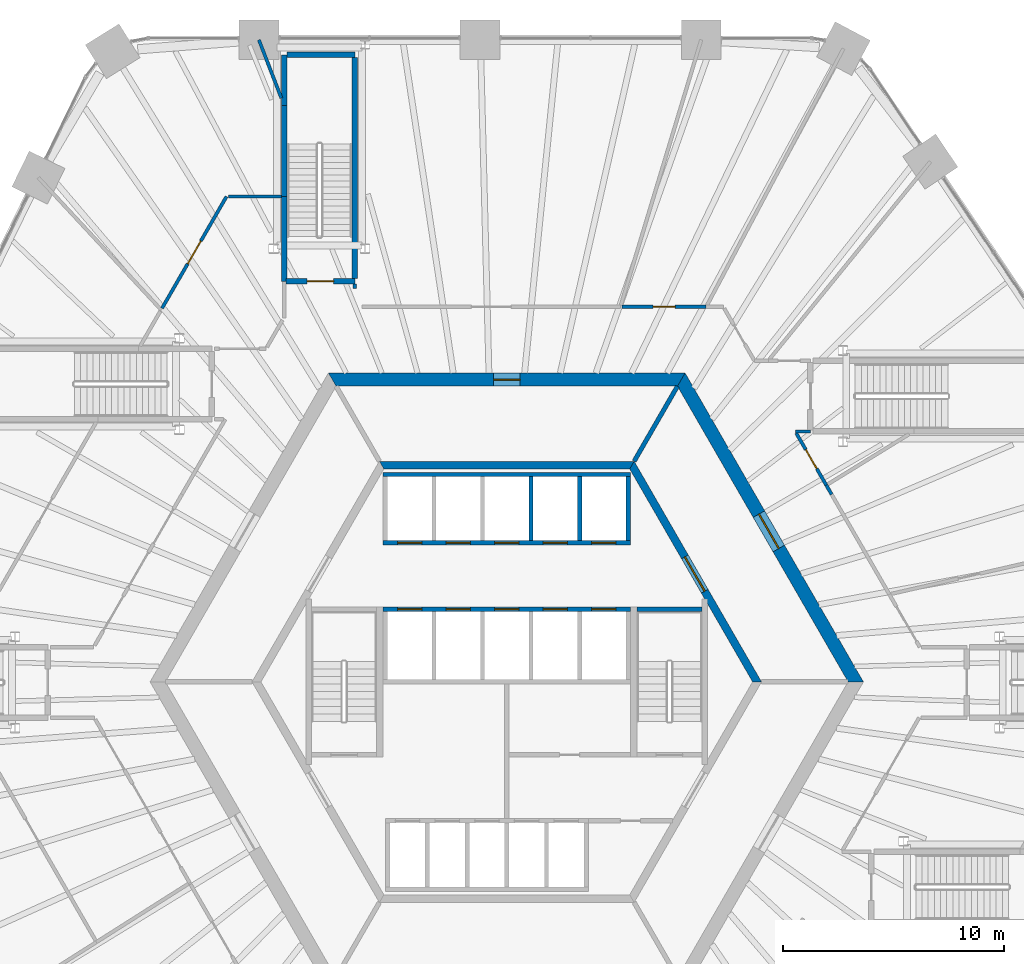
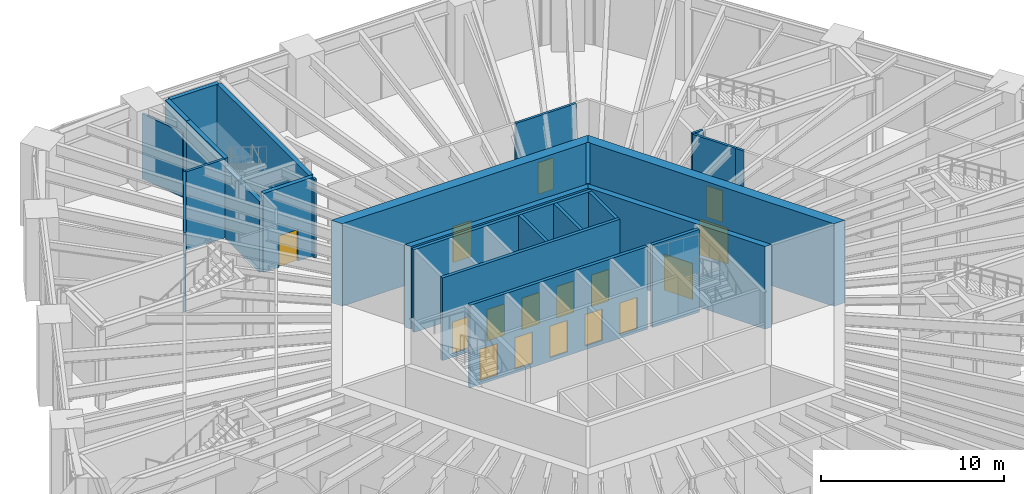
# One storey, part 24 of 30: 26 walls, 17 doors, 17 openings.
"""IFC4 building model written with IfcOpenShell, lengths in metres."""

from ifc_helpers import new_model, si_unit, direction, frame, frame_2d, origin, place, context, subcontext, project, spatial, polyline, rectangle, outline, extrude, material, layer, layer_set, type_object, element, fill, save


model = new_model("IFC4")

# Units and contexts
model_context = context("Model", 3, precision=1e-05, world=origin(), true_north=direction((0.0, 1.0)))
body_context = subcontext(model_context, "Body", "Model", "MODEL_VIEW")
ifc_project = project(units=[si_unit("LENGTHUNIT", "METRE"), si_unit("AREAUNIT", "SQUARE_METRE"), si_unit("VOLUMEUNIT", "CUBIC_METRE"), si_unit("PLANEANGLEUNIT", "RADIAN"), si_unit("MASSUNIT", "GRAM", prefix="KILO")], contexts=[model_context])

# Site, building, storey
site_placement = place(None, origin())
site = spatial("IfcSite", under=ifc_project, at=site_placement, CompositionType="ELEMENT")
building_placement = place(site_placement, origin())
building = spatial("IfcBuilding", under=site, at=building_placement, Name="Tarnside Tower", CompositionType="ELEMENT")
storey_placement = place(building_placement, frame((0.0, 0.0, 20.5)))
storey = spatial("IfcBuildingStorey", under=building, at=storey_placement, Name="L03", CompositionType="ELEMENT", Elevation=20.5)

# Wall, opening, door
ifc_material_1 = material(Name="Concrete C50/60", Category="concrete")
ifc_layer_1 = layer(ifc_material_1, 0.35009765625)
ifc_layer_set_1 = layer_set([ifc_layer_1], Name="Core block wall 350 C50/60")
wall_type_1 = type_object("IfcWallType", Name="Core block wall 350 C50/60", PredefinedType="SHEAR", material=ifc_layer_set_1)
wall_1_placement = place(storey_placement, frame((11.344970703125, 0.0, -0.25), z_axis=(0.0, 0.0, 1.0), x_axis=(-0.499995046907, 0.866028263435, 0.0)))
wall_1 = element("IfcWall", 1, at=wall_1_placement, inside=storey, type_object=wall_type_1, Name="L03 core block wall face 6", PredefinedType="SHEAR", context=body_context, shape_type="SweptSolid", body=[
    extrude(outline(polyline([(-0.10107421875, -0.175048828125), (11.44580078125, -0.175048828125), (11.24365234375, 0.175048828125), (0.10107421875, 0.175048828125), (-0.10107421875, -0.175048828125)])), origin(), (0.0, 0.0, 1.0), 5.5),
])
opening_1_placement = place(wall_1_placement, frame((4.74365234375, 0.0, 0.25)))
opening_1 = element("IfcOpeningElement", 2, at=opening_1_placement, cuts=wall_1, Name="Opening CD-LOB", PredefinedType="OPENING", context=body_context, shape_type="SweptSolid", body=[
    extrude(rectangle(XDim=1.800048828125, YDim=2.39990234375, at=frame_2d((0.89990234375, 1.199951171875))), frame((0.0, 0.18505859375, 0.0), z_axis=(0.0, -1.0, 0.0), x_axis=(1.0, 0.0, 0.0)), (0.0, 0.0, 1.0), 0.3701171875),
])
ifc_material_2 = material(Name="Steel fire door", Category="steel")
door_type_1 = type_object("IfcDoorType", Name="Lobby double door FD30S 1800x2400", OperationType="NOTDEFINED", PredefinedType="DOOR", material=ifc_material_2)
door_1_placement = place(opening_1_placement, origin())
door_1 = element("IfcDoor", 3, at=door_1_placement, inside=storey, type_object=door_type_1, Name="L03 lobby block door P2", OperationType="DOUBLE_DOOR_SINGLE_SWING", OverallHeight=2.39990234375, OverallWidth=1.800048828125, PredefinedType="DOOR", context=body_context, shape_type="SweptSolid", body=[
    extrude(rectangle(XDim=1.800048828125, YDim=2.39990234375, at=frame_2d((0.89990234375, 1.199951171875))), frame((0.0, 0.02490234375, 0.0), z_axis=(0.0, -1.0, 0.0), x_axis=(1.0, 0.0, 0.0)), (0.0, 0.0, 1.0), 0.050048828125),
])
fill(opening_1, door_1)

# Wall
wall_2_placement = place(storey_placement, frame((5.672607421875, 9.824951171875, -0.25), z_axis=(0.0, 0.0, 1.0), x_axis=(-1.0, 0.0, 0.0)))
element("IfcWall", 4, at=wall_2_placement, inside=storey, type_object=wall_type_1, Name="L03 core block wall face 1", PredefinedType="SHEAR", context=body_context, shape_type="SweptSolid", body=[
    extrude(outline(polyline([(-0.10107421875, -0.175048828125), (11.4462890625, -0.175048828125), (11.244140625, 0.175048828125), (0.10107421875, 0.175048828125), (-0.10107421875, -0.175048828125)])), origin(), (0.0, 0.0, 1.0), 5.5),
])

# Wall, opening, door
ifc_material_3 = material(Name="Concrete C80/95", Category="concrete")
ifc_layer_2 = layer(ifc_material_3, 0.60009765625)
ifc_layer_set_2 = layer_set([ifc_layer_2], Name="Core wall Z1 600 C80/95")
wall_type_2 = type_object("IfcWallType", Name="Core wall Z1 600 C80/95", PredefinedType="SHEAR", material=ifc_layer_set_2)
wall_3_placement = place(storey_placement, frame((15.8193359375, 0.0, -0.25), z_axis=(0.0, 0.0, 1.0), x_axis=(-0.499999880136, 0.866025472988, 0.0)))
wall_3 = element("IfcWall", 5, at=wall_3_placement, inside=storey, type_object=wall_type_2, Name="L03 core wall face 6", PredefinedType="SHEAR", context=body_context, shape_type="SweptSolid", body=[
    extrude(outline(polyline([(-0.17333984375, -0.300048828125), (15.99267578125, -0.300048828125), (15.64599609375, 0.300048828125), (0.17333984375, 0.300048828125), (-0.17333984375, -0.300048828125)])), origin(), (0.0, 0.0, 1.0), 5.5),
])
opening_2_placement = place(wall_3_placement, frame((6.980712890625, 0.0, 0.25)))
opening_2 = element("IfcOpeningElement", 6, at=opening_2_placement, cuts=wall_3, Name="Opening CD-LOB", PredefinedType="OPENING", context=body_context, shape_type="SweptSolid", body=[
    extrude(rectangle(XDim=1.800048828125, YDim=2.39990234375, at=frame_2d((0.89990234375, 1.199951171875))), frame((0.0, 0.31005859375, 0.0), z_axis=(0.0, -1.0, 0.0), x_axis=(1.0, 0.0, 0.0)), (0.0, 0.0, 1.0), 0.6201171875),
])
door_2_placement = place(opening_2_placement, origin())
door_2 = element("IfcDoor", 7, at=door_2_placement, inside=storey, type_object=door_type_1, Name="L03 core door P2", OperationType="DOUBLE_DOOR_SINGLE_SWING", OverallHeight=2.39990234375, OverallWidth=1.800048828125, PredefinedType="DOOR", context=body_context, shape_type="SweptSolid", body=[
    extrude(rectangle(XDim=1.800048828125, YDim=2.39990234375, at=frame_2d((0.89990234375, 1.199951171875))), frame((0.0, 0.02490234375, 0.0), z_axis=(0.0, -1.0, 0.0), x_axis=(1.0, 0.0, 0.0)), (0.0, 0.0, 1.0), 0.050048828125),
])
fill(opening_2, door_2)

wall_4_placement = place(storey_placement, frame((7.90966796875, 13.699951171875, -0.25), z_axis=(0.0, 0.0, 1.0), x_axis=(-1.0, 0.0, 0.0)))
wall_4 = element("IfcWall", 8, at=wall_4_placement, inside=storey, type_object=wall_type_2, Name="L03 core wall face 1", PredefinedType="SHEAR", context=body_context, shape_type="SweptSolid", body=[
    extrude(outline(polyline([(-0.17333984375, -0.300048828125), (15.99267578125, -0.300048828125), (15.64599609375, 0.300048828125), (0.17333984375, 0.300048828125), (-0.17333984375, -0.300048828125)])), origin(), (0.0, 0.0, 1.0), 5.5),
])
opening_3_placement = place(wall_4_placement, frame((7.309814453125, 0.0, 0.25)))
opening_3 = element("IfcOpeningElement", 9, at=opening_3_placement, cuts=wall_4, Name="Opening CD-RSR", PredefinedType="OPENING", context=body_context, shape_type="SweptSolid", body=[
    extrude(rectangle(XDim=1.199951171875, YDim=2.39990234375, at=frame_2d((0.60009765625, 1.199951171875))), frame((0.0, 0.31005859375, 0.0), z_axis=(0.0, -1.0, 0.0), x_axis=(1.0, 0.0, 0.0)), (0.0, 0.0, 1.0), 0.6201171875),
])
door_type_2 = type_object("IfcDoorType", Name="Riser door FD60 1200x2400", OperationType="NOTDEFINED", PredefinedType="DOOR", material=ifc_material_2)
door_3_placement = place(opening_3_placement, origin())
door_3 = element("IfcDoor", 10, at=door_3_placement, inside=storey, type_object=door_type_2, Name="L03 core door S5", OperationType="SINGLE_SWING_LEFT", OverallHeight=2.39990234375, OverallWidth=1.199951171875, PredefinedType="DOOR", context=body_context, shape_type="SweptSolid", body=[
    extrude(rectangle(XDim=1.199951171875, YDim=2.39990234375, at=frame_2d((0.60009765625, 1.199951171875))), frame((0.0, 0.02490234375, 0.0), z_axis=(0.0, -1.0, 0.0), x_axis=(1.0, 0.0, 0.0)), (0.0, 0.0, 1.0), 0.050048828125),
])
fill(opening_3, door_3)

# Wall, openings, doors
ifc_material_4 = material(Name="Concrete C40/50", Category="concrete")
ifc_layer_3 = layer(ifc_material_4, 0.199951171875)
ifc_layer_set_3 = layer_set([ifc_layer_3], Name="Lift shaft wall 200 C40/50")
wall_type_3 = type_object("IfcWallType", Name="Lift shaft wall 200 C40/50", PredefinedType="SHEAR", material=ifc_layer_set_3)
wall_5_placement = place(storey_placement, frame((-5.60009765625, 6.300048828125, -0.25), z_axis=(0.0, 0.0, 1.0), x_axis=(1.0, 0.0, 0.0)))
wall_5 = element("IfcWall", 11, at=wall_5_placement, inside=storey, type_object=wall_type_3, Name="L03 lift shaft front wall R1", PredefinedType="SHEAR", context=body_context, shape_type="SweptSolid", body=[
    extrude(rectangle(XDim=11.2001953125, YDim=0.199951171875, at=frame_2d((5.60009765625, 0.0))), origin(), (0.0, 0.0, 1.0), 5.5),
])
opening_4_placement = place(wall_5_placement, frame((0.64990234375, 0.0, 0.25)))
opening_4 = element("IfcOpeningElement", 12, at=opening_4_placement, cuts=wall_5, Name="Opening LD", PredefinedType="OPENING", context=body_context, shape_type="SweptSolid", body=[
    extrude(rectangle(XDim=1.10009765625, YDim=2.10009765625, at=frame_2d((0.550048828125, 1.050048828125))), frame((0.0, 0.10986328125, 0.0), z_axis=(0.0, -1.0, 0.0), x_axis=(1.0, 0.0, 0.0)), (0.0, 0.0, 1.0), 0.219970703125),
])
opening_5_placement = place(wall_5_placement, frame((2.85009765625, 0.0, 0.25)))
opening_5 = element("IfcOpeningElement", 13, at=opening_5_placement, cuts=wall_5, Name="Opening LD", PredefinedType="OPENING", context=body_context, shape_type="SweptSolid", body=[
    extrude(rectangle(XDim=1.10009765625, YDim=2.10009765625, at=frame_2d((0.550048828125, 1.050048828125))), frame((0.0, 0.10986328125, 0.0), z_axis=(0.0, -1.0, 0.0), x_axis=(1.0, 0.0, 0.0)), (0.0, 0.0, 1.0), 0.219970703125),
])
opening_6_placement = place(wall_5_placement, frame((5.050048828125, 0.0, 0.25)))
opening_6 = element("IfcOpeningElement", 14, at=opening_6_placement, cuts=wall_5, Name="Opening LD", PredefinedType="OPENING", context=body_context, shape_type="SweptSolid", body=[
    extrude(rectangle(XDim=1.10009765625, YDim=2.10009765625, at=frame_2d((0.550048828125, 1.050048828125))), frame((0.0, 0.10986328125, 0.0), z_axis=(0.0, -1.0, 0.0), x_axis=(1.0, 0.0, 0.0)), (0.0, 0.0, 1.0), 0.219970703125),
])
opening_7_placement = place(wall_5_placement, frame((7.25, 0.0, 0.25)))
opening_7 = element("IfcOpeningElement", 15, at=opening_7_placement, cuts=wall_5, Name="Opening LD", PredefinedType="OPENING", context=body_context, shape_type="SweptSolid", body=[
    extrude(rectangle(XDim=1.10009765625, YDim=2.10009765625, at=frame_2d((0.550048828125, 1.050048828125))), frame((0.0, 0.10986328125, 0.0), z_axis=(0.0, -1.0, 0.0), x_axis=(1.0, 0.0, 0.0)), (0.0, 0.0, 1.0), 0.219970703125),
])
opening_8_placement = place(wall_5_placement, frame((9.449951171875, 0.0, 0.25)))
opening_8 = element("IfcOpeningElement", 16, at=opening_8_placement, cuts=wall_5, Name="Opening LD", PredefinedType="OPENING", context=body_context, shape_type="SweptSolid", body=[
    extrude(rectangle(XDim=1.10009765625, YDim=2.10009765625, at=frame_2d((0.550048828125, 1.050048828125))), frame((0.0, 0.10986328125, 0.0), z_axis=(0.0, -1.0, 0.0), x_axis=(1.0, 0.0, 0.0)), (0.0, 0.0, 1.0), 0.219970703125),
])
ifc_material_5 = material(Name="Stainless steel", Category="steel")
door_type_3 = type_object("IfcDoorType", Name="Lift landing door 1100x2100", OperationType="NOTDEFINED", PredefinedType="DOOR", material=ifc_material_5)
door_4_placement = place(opening_4_placement, origin())
door_4 = element("IfcDoor", 17, at=door_4_placement, inside=storey, type_object=door_type_3, Name="Low-rise lift 1 landing door L03", OperationType="SLIDING_TO_LEFT", OverallHeight=2.10009765625, OverallWidth=1.10009765625, PredefinedType="DOOR", context=body_context, shape_type="SweptSolid", body=[
    extrude(rectangle(XDim=1.10009765625, YDim=2.10009765625, at=frame_2d((0.550048828125, 1.050048828125))), frame((0.0, 0.02490234375, 0.0), z_axis=(0.0, -1.0, 0.0), x_axis=(1.0, 0.0, 0.0)), (0.0, 0.0, 1.0), 0.050048828125),
])
fill(opening_4, door_4)
door_5_placement = place(opening_5_placement, origin())
door_5 = element("IfcDoor", 18, at=door_5_placement, inside=storey, type_object=door_type_3, Name="Low-rise lift 2 landing door L03", OperationType="SLIDING_TO_LEFT", OverallHeight=2.10009765625, OverallWidth=1.10009765625, PredefinedType="DOOR", context=body_context, shape_type="SweptSolid", body=[
    extrude(rectangle(XDim=1.10009765625, YDim=2.10009765625, at=frame_2d((0.550048828125, 1.050048828125))), frame((0.0, 0.02490234375, 0.0), z_axis=(0.0, -1.0, 0.0), x_axis=(1.0, 0.0, 0.0)), (0.0, 0.0, 1.0), 0.050048828125),
])
fill(opening_5, door_5)
door_6_placement = place(opening_6_placement, origin())
door_6 = element("IfcDoor", 19, at=door_6_placement, inside=storey, type_object=door_type_3, Name="Low-rise lift 3 landing door L03", OperationType="SLIDING_TO_LEFT", OverallHeight=2.10009765625, OverallWidth=1.10009765625, PredefinedType="DOOR", context=body_context, shape_type="SweptSolid", body=[
    extrude(rectangle(XDim=1.10009765625, YDim=2.10009765625, at=frame_2d((0.550048828125, 1.050048828125))), frame((0.0, 0.02490234375, 0.0), z_axis=(0.0, -1.0, 0.0), x_axis=(1.0, 0.0, 0.0)), (0.0, 0.0, 1.0), 0.050048828125),
])
fill(opening_6, door_6)
door_7_placement = place(opening_7_placement, origin())
door_7 = element("IfcDoor", 20, at=door_7_placement, inside=storey, type_object=door_type_3, Name="Low sky-lobby shuttle 1 landing door L03", OperationType="SLIDING_TO_LEFT", OverallHeight=2.10009765625, OverallWidth=1.10009765625, PredefinedType="DOOR", context=body_context, shape_type="SweptSolid", body=[
    extrude(rectangle(XDim=1.10009765625, YDim=2.10009765625, at=frame_2d((0.550048828125, 1.050048828125))), frame((0.0, 0.02490234375, 0.0), z_axis=(0.0, -1.0, 0.0), x_axis=(1.0, 0.0, 0.0)), (0.0, 0.0, 1.0), 0.050048828125),
])
fill(opening_7, door_7)
door_8_placement = place(opening_8_placement, origin())
door_8 = element("IfcDoor", 21, at=door_8_placement, inside=storey, type_object=door_type_3, Name="Low sky-lobby shuttle 2 landing door L03", OperationType="SLIDING_TO_LEFT", OverallHeight=2.10009765625, OverallWidth=1.10009765625, PredefinedType="DOOR", context=body_context, shape_type="SweptSolid", body=[
    extrude(rectangle(XDim=1.10009765625, YDim=2.10009765625, at=frame_2d((0.550048828125, 1.050048828125))), frame((0.0, 0.02490234375, 0.0), z_axis=(0.0, -1.0, 0.0), x_axis=(1.0, 0.0, 0.0)), (0.0, 0.0, 1.0), 0.050048828125),
])
fill(opening_8, door_8)

# Walls
wall_6_placement = place(storey_placement, frame((-5.60009765625, 9.39990234375, -0.25), z_axis=(0.0, 0.0, 1.0), x_axis=(1.0, 0.0, 0.0)))
element("IfcWall", 22, at=wall_6_placement, inside=storey, type_object=wall_type_3, Name="L03 lift shaft back wall R1", PredefinedType="SHEAR", context=body_context, shape_type="SweptSolid", body=[
    extrude(rectangle(XDim=11.2001953125, YDim=0.199951171875, at=frame_2d((5.60009765625, 0.0))), origin(), (0.0, 0.0, 1.0), 5.5),
])
for number, where, z_axis, x_axis, name in (
    (23, (1.10009765625, 6.39990234375, -0.25), (0.0, 0.0, 1.0), (0.0, 1.0, 0.0), "L03 lift shaft partition R14"),
    (24, (3.300048828125, 6.39990234375, -0.25), (0.0, 0.0, 1.0), (0.0, 1.0, 0.0), "L03 lift shaft partition R15"),
    (25, (5.5, 6.39990234375, -0.25), (0.0, 0.0, 1.0), (0.0, 1.0, 0.0), "L03 lift shaft partition R16"),
):
    element("IfcWall", number, at=place(storey_placement, frame(where, z_axis=z_axis, x_axis=x_axis)), inside=storey, type_object=wall_type_3, Name=name, PredefinedType="SHEAR", context=body_context, shape_type="SweptSolid", body=[
        extrude(rectangle(XDim=2.900146484375, YDim=0.199951171875, at=frame_2d((1.4501953125, 0.0))), origin(), (0.0, 0.0, 1.0), 5.5),
    ])

# Wall, openings, doors
wall_7_placement = place(storey_placement, frame((-5.60009765625, 3.300048828125, -0.25), z_axis=(0.0, 0.0, 1.0), x_axis=(1.0, 0.0, 0.0)))
wall_7 = element("IfcWall", 26, at=wall_7_placement, inside=storey, type_object=wall_type_3, Name="L03 lift shaft front wall R2", PredefinedType="SHEAR", context=body_context, shape_type="SweptSolid", body=[
    extrude(rectangle(XDim=11.2001953125, YDim=0.199951171875, at=frame_2d((5.60009765625, 0.0))), origin(), (0.0, 0.0, 1.0), 5.5),
])
opening_9_placement = place(wall_7_placement, frame((0.64990234375, 0.0, 0.25)))
opening_9 = element("IfcOpeningElement", 27, at=opening_9_placement, cuts=wall_7, Name="Opening LD", PredefinedType="OPENING", context=body_context, shape_type="SweptSolid", body=[
    extrude(rectangle(XDim=1.10009765625, YDim=2.10009765625, at=frame_2d((0.550048828125, 1.050048828125))), frame((0.0, 0.10986328125, 0.0), z_axis=(0.0, -1.0, 0.0), x_axis=(1.0, 0.0, 0.0)), (0.0, 0.0, 1.0), 0.219970703125),
])
opening_10_placement = place(wall_7_placement, frame((2.85009765625, 0.0, 0.25)))
opening_10 = element("IfcOpeningElement", 28, at=opening_10_placement, cuts=wall_7, Name="Opening LD", PredefinedType="OPENING", context=body_context, shape_type="SweptSolid", body=[
    extrude(rectangle(XDim=1.10009765625, YDim=2.10009765625, at=frame_2d((0.550048828125, 1.050048828125))), frame((0.0, 0.10986328125, 0.0), z_axis=(0.0, -1.0, 0.0), x_axis=(1.0, 0.0, 0.0)), (0.0, 0.0, 1.0), 0.219970703125),
])
opening_11_placement = place(wall_7_placement, frame((5.050048828125, 0.0, 0.25)))
opening_11 = element("IfcOpeningElement", 29, at=opening_11_placement, cuts=wall_7, Name="Opening LD", PredefinedType="OPENING", context=body_context, shape_type="SweptSolid", body=[
    extrude(rectangle(XDim=1.10009765625, YDim=2.10009765625, at=frame_2d((0.550048828125, 1.050048828125))), frame((0.0, 0.10986328125, 0.0), z_axis=(0.0, -1.0, 0.0), x_axis=(1.0, 0.0, 0.0)), (0.0, 0.0, 1.0), 0.219970703125),
])
opening_12_placement = place(wall_7_placement, frame((7.25, 0.0, 0.25)))
opening_12 = element("IfcOpeningElement", 30, at=opening_12_placement, cuts=wall_7, Name="Opening LD", PredefinedType="OPENING", context=body_context, shape_type="SweptSolid", body=[
    extrude(rectangle(XDim=1.10009765625, YDim=2.10009765625, at=frame_2d((0.550048828125, 1.050048828125))), frame((0.0, 0.10986328125, 0.0), z_axis=(0.0, -1.0, 0.0), x_axis=(1.0, 0.0, 0.0)), (0.0, 0.0, 1.0), 0.219970703125),
])
opening_13_placement = place(wall_7_placement, frame((9.449951171875, 0.0, 0.25)))
opening_13 = element("IfcOpeningElement", 31, at=opening_13_placement, cuts=wall_7, Name="Opening LD", PredefinedType="OPENING", context=body_context, shape_type="SweptSolid", body=[
    extrude(rectangle(XDim=1.10009765625, YDim=2.10009765625, at=frame_2d((0.550048828125, 1.050048828125))), frame((0.0, 0.10986328125, 0.0), z_axis=(0.0, -1.0, 0.0), x_axis=(1.0, 0.0, 0.0)), (0.0, 0.0, 1.0), 0.219970703125),
])
door_9_placement = place(opening_9_placement, origin())
door_9 = element("IfcDoor", 32, at=door_9_placement, inside=storey, type_object=door_type_3, Name="Low-rise lift 4 landing door L03", OperationType="SLIDING_TO_LEFT", OverallHeight=2.10009765625, OverallWidth=1.10009765625, PredefinedType="DOOR", context=body_context, shape_type="SweptSolid", body=[
    extrude(rectangle(XDim=1.10009765625, YDim=2.10009765625, at=frame_2d((0.550048828125, 1.050048828125))), frame((0.0, 0.02490234375, 0.0), z_axis=(0.0, -1.0, 0.0), x_axis=(1.0, 0.0, 0.0)), (0.0, 0.0, 1.0), 0.050048828125),
])
fill(opening_9, door_9)
door_10_placement = place(opening_10_placement, origin())
door_10 = element("IfcDoor", 33, at=door_10_placement, inside=storey, type_object=door_type_3, Name="Low-rise lift 5 landing door L03", OperationType="SLIDING_TO_LEFT", OverallHeight=2.10009765625, OverallWidth=1.10009765625, PredefinedType="DOOR", context=body_context, shape_type="SweptSolid", body=[
    extrude(rectangle(XDim=1.10009765625, YDim=2.10009765625, at=frame_2d((0.550048828125, 1.050048828125))), frame((0.0, 0.02490234375, 0.0), z_axis=(0.0, -1.0, 0.0), x_axis=(1.0, 0.0, 0.0)), (0.0, 0.0, 1.0), 0.050048828125),
])
fill(opening_10, door_10)
door_11_placement = place(opening_11_placement, origin())
door_11 = element("IfcDoor", 34, at=door_11_placement, inside=storey, type_object=door_type_3, Name="Low-rise lift 6 landing door L03", OperationType="SLIDING_TO_LEFT", OverallHeight=2.10009765625, OverallWidth=1.10009765625, PredefinedType="DOOR", context=body_context, shape_type="SweptSolid", body=[
    extrude(rectangle(XDim=1.10009765625, YDim=2.10009765625, at=frame_2d((0.550048828125, 1.050048828125))), frame((0.0, 0.02490234375, 0.0), z_axis=(0.0, -1.0, 0.0), x_axis=(1.0, 0.0, 0.0)), (0.0, 0.0, 1.0), 0.050048828125),
])
fill(opening_11, door_11)
door_12_placement = place(opening_12_placement, origin())
door_12 = element("IfcDoor", 35, at=door_12_placement, inside=storey, type_object=door_type_3, Name="High sky-lobby shuttle 1 landing door L03", OperationType="SLIDING_TO_LEFT", OverallHeight=2.10009765625, OverallWidth=1.10009765625, PredefinedType="DOOR", context=body_context, shape_type="SweptSolid", body=[
    extrude(rectangle(XDim=1.10009765625, YDim=2.10009765625, at=frame_2d((0.550048828125, 1.050048828125))), frame((0.0, 0.02490234375, 0.0), z_axis=(0.0, -1.0, 0.0), x_axis=(1.0, 0.0, 0.0)), (0.0, 0.0, 1.0), 0.050048828125),
])
fill(opening_12, door_12)
door_13_placement = place(opening_13_placement, origin())
door_13 = element("IfcDoor", 36, at=door_13_placement, inside=storey, type_object=door_type_3, Name="Express sky-lobby shuttle 2 landing door L03", OperationType="SLIDING_TO_LEFT", OverallHeight=2.10009765625, OverallWidth=1.10009765625, PredefinedType="DOOR", context=body_context, shape_type="SweptSolid", body=[
    extrude(rectangle(XDim=1.10009765625, YDim=2.10009765625, at=frame_2d((0.550048828125, 1.050048828125))), frame((0.0, 0.02490234375, 0.0), z_axis=(0.0, -1.0, 0.0), x_axis=(1.0, 0.0, 0.0)), (0.0, 0.0, 1.0), 0.050048828125),
])
fill(opening_13, door_13)

# Walls
wall_8_placement = place(storey_placement, frame((5.7734375, 10.0, -0.25), z_axis=(0.0, 0.0, 1.0), x_axis=(0.500038251005, 0.86600331843, 0.0)))
element("IfcWall", 37, at=wall_8_placement, inside=storey, type_object=wall_type_3, Name="L03 core partition AR60", PredefinedType="SHEAR", context=body_context, shape_type="SweptSolid", body=[
    extrude(rectangle(XDim=3.926025390625, YDim=0.199951171875, at=frame_2d((1.962890625, 0.0))), origin(), (0.0, 0.0, 1.0), 5.5),
])
wall_9_placement = place(storey_placement, frame((5.89990234375, 3.300048828125, -0.25), z_axis=(0.0, 0.0, 1.0), x_axis=(1.0, 0.0, 0.0)))
element("IfcWall", 38, at=wall_9_placement, inside=storey, type_object=wall_type_3, Name="L03 stair 1 enclosure cap wall n", PredefinedType="SHEAR", context=body_context, shape_type="SweptSolid", body=[
    extrude(rectangle(XDim=2.9501953125, YDim=0.199951171875, at=frame_2d((1.47509765625, 0.0))), origin(), (0.0, 0.0, 1.0), 5.5),
])

# Wall, opening, door
ifc_material_6 = material(Name="Gypsum board")
ifc_layer_4 = layer(ifc_material_6, 0.14990234375)
ifc_layer_set_4 = layer_set([ifc_layer_4], Name="Partition 150 gypsum board on metal stud")
wall_type_4 = type_object("IfcWallType", Name="Partition 150 gypsum board on metal stud", PredefinedType="PARTITIONING", material=ifc_layer_set_4)
wall_10_placement = place(storey_placement, frame((-15.626708984375, 16.932861328125, 0.0), z_axis=(0.0, 0.0, 1.0), x_axis=(0.499909086075, 0.866077886601, 0.0)))
wall_10 = element("IfcWall", 39, at=wall_10_placement, inside=storey, type_object=wall_type_4, Name="Partition 030", PredefinedType="PARTITIONING", context=body_context, shape_type="SweptSolid", body=[
    extrude(rectangle(XDim=5.8505859375, YDim=0.14990234375, at=frame_2d((2.92529296875, 0.0))), origin(), (0.0, 0.0, 1.0), 5.25),
])
opening_14_placement = place(wall_10_placement, frame((2.3251953125, 0.0, 0.0)))
opening_14 = element("IfcOpeningElement", 40, at=opening_14_placement, cuts=wall_10, Name="Opening D1200F30", PredefinedType="OPENING", context=body_context, shape_type="SweptSolid", body=[
    extrude(rectangle(XDim=1.199951171875, YDim=2.10009765625, at=frame_2d((0.60009765625, 1.050048828125))), frame((0.0, 0.0849609375, 0.0), z_axis=(0.0, -1.0, 0.0), x_axis=(1.0, 0.0, 0.0)), (0.0, 0.0, 1.0), 0.169921875),
])
ifc_material_7 = material(Name="Timber door leaf", Category="wood")
door_type_4 = type_object("IfcDoorType", Name="Door 1200 x 2100 single leaf FD30S fire door", OperationType="NOTDEFINED", PredefinedType="DOOR", material=ifc_material_7)
door_14_placement = place(opening_14_placement, origin())
door_14 = element("IfcDoor", 41, at=door_14_placement, inside=storey, type_object=door_type_4, Name="Door L03-13", OperationType="SINGLE_SWING_RIGHT", OverallHeight=2.10009765625, OverallWidth=1.199951171875, PredefinedType="DOOR", context=body_context, shape_type="SweptSolid", body=[
    extrude(rectangle(XDim=1.199951171875, YDim=2.10009765625, at=frame_2d((0.60009765625, 1.050048828125))), frame((0.0, 0.02490234375, 0.0), z_axis=(0.0, -1.0, 0.0), x_axis=(1.0, 0.0, 0.0)), (0.0, 0.0, 1.0), 0.050048828125),
])
fill(opening_14, door_14)

# Walls
wall_11_placement = place(storey_placement, frame((-11.235107421875, 29.10009765625, 0.0), z_axis=(0.0, 0.0, 1.0), x_axis=(0.360012438309, -0.932947503487, 0.0)))
element("IfcWall", 42, at=wall_11_placement, inside=storey, type_object=wall_type_4, Name="Partition 032", PredefinedType="PARTITIONING", context=body_context, shape_type="SweptSolid", body=[
    extrude(rectangle(XDim=2.833251953125, YDim=0.14990234375, at=frame_2d((1.41650390625, 0.0))), origin(), (0.0, 0.0, 1.0), 4.323486328125),
])
wall_12_placement = place(storey_placement, frame((-10.215087890625, 22.0, 0.0), z_axis=(0.0, 0.0, 1.0), x_axis=(-1.0, 0.0, 0.0)))
element("IfcWall", 43, at=wall_12_placement, inside=storey, type_object=wall_type_4, Name="Partition 038", PredefinedType="PARTITIONING", context=body_context, shape_type="SweptSolid", body=[
    extrude(rectangle(XDim=2.400390625, YDim=0.14990234375, at=frame_2d((1.2001953125, 0.0))), origin(), (0.0, 0.0, 1.0), 5.25),
])
wall_13_placement = place(storey_placement, frame((-6.889892578125, 18.030029296875, 0.0), z_axis=(0.0, 0.0, 1.0), x_axis=(0.0, -1.0, 0.0)))
element("IfcWall", 44, at=wall_13_placement, inside=storey, type_object=wall_type_4, Name="Partition 044", PredefinedType="PARTITIONING", context=body_context, shape_type="SweptSolid", body=[
    extrude(rectangle(XDim=0.2109375, YDim=0.14990234375, at=frame_2d((0.10546875, 0.0))), origin(), (0.0, 0.0, 1.0), 5.25),
])

# Wall, opening, door
wall_14_placement = place(storey_placement, frame((5.226318359375, 17.0, 0.0), z_axis=(0.0, 0.0, 1.0), x_axis=(1.0, 0.0, 0.0)))
wall_14 = element("IfcWall", 45, at=wall_14_placement, inside=storey, type_object=wall_type_4, Name="Partition 053", PredefinedType="PARTITIONING", context=body_context, shape_type="SweptSolid", body=[
    extrude(rectangle(XDim=3.812744140625, YDim=0.14990234375, at=frame_2d((1.90625, 0.0))), origin(), (0.0, 0.0, 1.0), 5.25),
])
opening_15_placement = place(wall_14_placement, frame((1.40625, 0.0, 0.0)))
opening_15 = element("IfcOpeningElement", 46, at=opening_15_placement, cuts=wall_14, Name="Opening D1000F30", PredefinedType="OPENING", context=body_context, shape_type="SweptSolid", body=[
    extrude(rectangle(XDim=1.0, YDim=2.10009765625, at=frame_2d((0.5, 1.050048828125))), frame((0.0, 0.0849609375, 0.0), z_axis=(0.0, -1.0, 0.0), x_axis=(1.0, 0.0, 0.0)), (0.0, 0.0, 1.0), 0.169921875),
])
door_type_5 = type_object("IfcDoorType", Name="Door 1000 x 2100 single leaf FD30S fire door", OperationType="NOTDEFINED", PredefinedType="DOOR", material=ifc_material_7)
door_15_placement = place(opening_15_placement, origin())
door_15 = element("IfcDoor", 47, at=door_15_placement, inside=storey, type_object=door_type_5, Name="Door L03-20", OperationType="SINGLE_SWING_LEFT", OverallHeight=2.10009765625, OverallWidth=1.0, PredefinedType="DOOR", context=body_context, shape_type="SweptSolid", body=[
    extrude(rectangle(XDim=1.0, YDim=2.10009765625, at=frame_2d((0.5, 1.050048828125))), frame((0.0, 0.02490234375, 0.0), z_axis=(0.0, -1.0, 0.0), x_axis=(1.0, 0.0, 0.0)), (0.0, 0.0, 1.0), 0.050048828125),
])
fill(opening_15, door_15)

# Wall
wall_15_placement = place(storey_placement, frame((13.764892578125, 11.35009765625, 0.0), z_axis=(0.0, 0.0, 1.0), x_axis=(-1.0, 0.0, 0.0)))
element("IfcWall", 48, at=wall_15_placement, inside=storey, type_object=wall_type_4, Name="Partition 061", PredefinedType="PARTITIONING", context=body_context, shape_type="SweptSolid", body=[
    extrude(rectangle(XDim=0.68798828125, YDim=0.14990234375, at=frame_2d((0.343994140625, 0.0))), origin(), (0.0, 0.0, 1.0), 5.25),
])

# Wall, opening, door
wall_16_placement = place(storey_placement, frame((13.120361328125, 11.27490234375, 0.0), z_axis=(0.0, 0.0, 1.0), x_axis=(0.500177554253, -0.865922868517, 0.0)))
wall_16 = element("IfcWall", 49, at=wall_16_placement, inside=storey, type_object=wall_type_4, Name="Partition 064", PredefinedType="PARTITIONING", context=body_context, shape_type="SweptSolid", body=[
    extrude(rectangle(XDim=2.72412109375, YDim=0.14990234375, at=frame_2d((1.362060546875, 0.0))), origin(), (0.0, 0.0, 1.0), 5.25),
])
opening_16_placement = place(wall_16_placement, frame((0.862060546875, 0.0, 0.0)))
opening_16 = element("IfcOpeningElement", 50, at=opening_16_placement, cuts=wall_16, Name="Opening D1000F30", PredefinedType="OPENING", context=body_context, shape_type="SweptSolid", body=[
    extrude(rectangle(XDim=1.0, YDim=2.10009765625, at=frame_2d((0.5, 1.050048828125))), frame((0.0, 0.0849609375, 0.0), z_axis=(0.0, -1.0, 0.0), x_axis=(1.0, 0.0, 0.0)), (0.0, 0.0, 1.0), 0.169921875),
])
door_16_placement = place(opening_16_placement, origin())
door_16 = element("IfcDoor", 51, at=door_16_placement, inside=storey, type_object=door_type_5, Name="Door L03-25", OperationType="SINGLE_SWING_RIGHT", OverallHeight=2.10009765625, OverallWidth=1.0, PredefinedType="DOOR", context=body_context, shape_type="SweptSolid", body=[
    extrude(rectangle(XDim=1.0, YDim=2.10009765625, at=frame_2d((0.5, 1.050048828125))), frame((0.0, 0.02490234375, 0.0), z_axis=(0.0, -1.0, 0.0), x_axis=(1.0, 0.0, 0.0)), (0.0, 0.0, 1.0), 0.050048828125),
])
fill(opening_16, door_16)

# Walls
wall_17_placement = place(storey_placement, frame((14.722900390625, 8.5, 0.0), z_axis=(0.0, 0.0, 1.0), x_axis=(-0.499693115345, 0.866202511239, 0.0)))
element("IfcWall", 52, at=wall_17_placement, inside=storey, type_object=wall_type_4, Name="Partition 065", PredefinedType="PARTITIONING", context=body_context, shape_type="SweptSolid", body=[
    extrude(rectangle(XDim=0.480224609375, YDim=0.14990234375, at=frame_2d((0.240234375, 0.0))), origin(), (0.0, 0.0, 1.0), 5.25),
])
ifc_material_8 = material(Name="Concrete C32/40", Category="concrete")
ifc_layer_5 = layer(ifc_material_8, 0.25)
ifc_layer_set_5 = layer_set([ifc_layer_5], Name="Wall 250 reinforced Concrete C32/40")
wall_type_5 = type_object("IfcWallType", Name="Wall 250 reinforced Concrete C32/40", PredefinedType="PARTITIONING", material=ifc_layer_set_5)
wall_18_placement = place(storey_placement, frame((-10.090087890625, 18.155029296875, 0.0), z_axis=(0.0, 0.0, 1.0), x_axis=(0.0, 1.0, 0.0)))
element("IfcWall", 53, at=wall_18_placement, inside=storey, type_object=wall_type_5, Name="Partition 035", PredefinedType="PARTITIONING", context=body_context, shape_type="SweptSolid", body=[
    extrude(rectangle(XDim=3.85498046875, YDim=0.25, at=frame_2d((1.927490234375, 0.0))), origin(), (0.0, 0.0, 1.0), 4.716796875),
])

# Wall, opening, door
wall_19_placement = place(storey_placement, frame((-6.889892578125, 18.155029296875, 0.0), z_axis=(0.0, 0.0, 1.0), x_axis=(-1.0, 0.0, 0.0)))
wall_19 = element("IfcWall", 54, at=wall_19_placement, inside=storey, type_object=wall_type_5, Name="Partition 036", PredefinedType="PARTITIONING", context=body_context, shape_type="SweptSolid", body=[
    extrude(rectangle(XDim=3.125, YDim=0.25, at=frame_2d((1.5625, 0.0))), origin(), (0.0, 0.0, 1.0), 5.25),
])
opening_17_placement = place(wall_19_placement, frame((0.96240234375, 0.0, 0.0)))
opening_17 = element("IfcOpeningElement", 55, at=opening_17_placement, cuts=wall_19, Name="Opening D1200F60S", PredefinedType="OPENING", context=body_context, shape_type="SweptSolid", body=[
    extrude(rectangle(XDim=1.199951171875, YDim=2.10009765625, at=frame_2d((0.60009765625, 1.050048828125))), frame((0.0, 0.135009765625, 0.0), z_axis=(0.0, -1.0, 0.0), x_axis=(1.0, 0.0, 0.0)), (0.0, 0.0, 1.0), 0.27001953125),
])
door_type_6 = type_object("IfcDoorType", Name="Door 1200 x 2100 single leaf FD60S fire door", OperationType="NOTDEFINED", PredefinedType="DOOR", material=ifc_material_7)
door_17_placement = place(opening_17_placement, origin())
door_17 = element("IfcDoor", 56, at=door_17_placement, inside=storey, type_object=door_type_6, Name="Door L03-15", OperationType="SINGLE_SWING_RIGHT", OverallHeight=2.10009765625, OverallWidth=1.199951171875, PredefinedType="DOOR", context=body_context, shape_type="SweptSolid", body=[
    extrude(rectangle(XDim=1.199951171875, YDim=2.10009765625, at=frame_2d((0.60009765625, 1.050048828125))), frame((0.0, 0.02490234375, 0.0), z_axis=(0.0, -1.0, 0.0), x_axis=(1.0, 0.0, 0.0)), (0.0, 0.0, 1.0), 0.050048828125),
])
fill(opening_17, door_17)

# Walls
wall_20_placement = place(storey_placement, frame((-10.090087890625, 21.989990234375, 0.0), z_axis=(0.0, 0.0, 1.0), x_axis=(0.0, 1.0, 0.0)))
element("IfcWall", 57, at=wall_20_placement, inside=storey, type_object=wall_type_5, Name="Partition 037", PredefinedType="PARTITIONING", context=body_context, shape_type="SweptSolid", body=[
    extrude(rectangle(XDim=4.169921875, YDim=0.25, at=frame_2d((2.0849609375, 0.0))), origin(), (0.0, 0.0, 1.0), 5.25),
])
wall_21_placement = place(storey_placement, frame((-10.090087890625, 26.1240234375, 0.0), z_axis=(0.0, 0.0, 1.0), x_axis=(0.0, 1.0, 0.0)))
element("IfcWall", 58, at=wall_21_placement, inside=storey, type_object=wall_type_5, Name="Partition 039", PredefinedType="PARTITIONING", context=body_context, shape_type="SweptSolid", body=[
    extrude(rectangle(XDim=2.301025390625, YDim=0.25, at=frame_2d((1.150390625, 0.0))), origin(), (0.0, 0.0, 1.0), 5.25),
])
wall_22_placement = place(storey_placement, frame((-9.965087890625, 28.425048828125, 0.0), z_axis=(0.0, 0.0, 1.0), x_axis=(1.0, 0.0, 0.0)))
element("IfcWall", 59, at=wall_22_placement, inside=storey, type_object=wall_type_5, Name="Partition 040", PredefinedType="PARTITIONING", context=body_context, shape_type="SweptSolid", body=[
    extrude(rectangle(XDim=3.0751953125, YDim=0.25, at=frame_2d((1.53759765625, 0.0))), origin(), (0.0, 0.0, 1.0), 5.25),
])
wall_23_placement = place(storey_placement, frame((-6.889892578125, 28.300048828125, 0.0), z_axis=(0.0, 0.0, 1.0), x_axis=(0.0, -1.0, 0.0)))
element("IfcWall", 60, at=wall_23_placement, inside=storey, type_object=wall_type_5, Name="Partition 045", PredefinedType="PARTITIONING", context=body_context, shape_type="SweptSolid", body=[
    extrude(rectangle(XDim=10.02001953125, YDim=0.25, at=frame_2d((5.010009765625, 0.0))), origin(), (0.0, 0.0, 1.0), 5.25),
])

save(model, "model.ifc")
